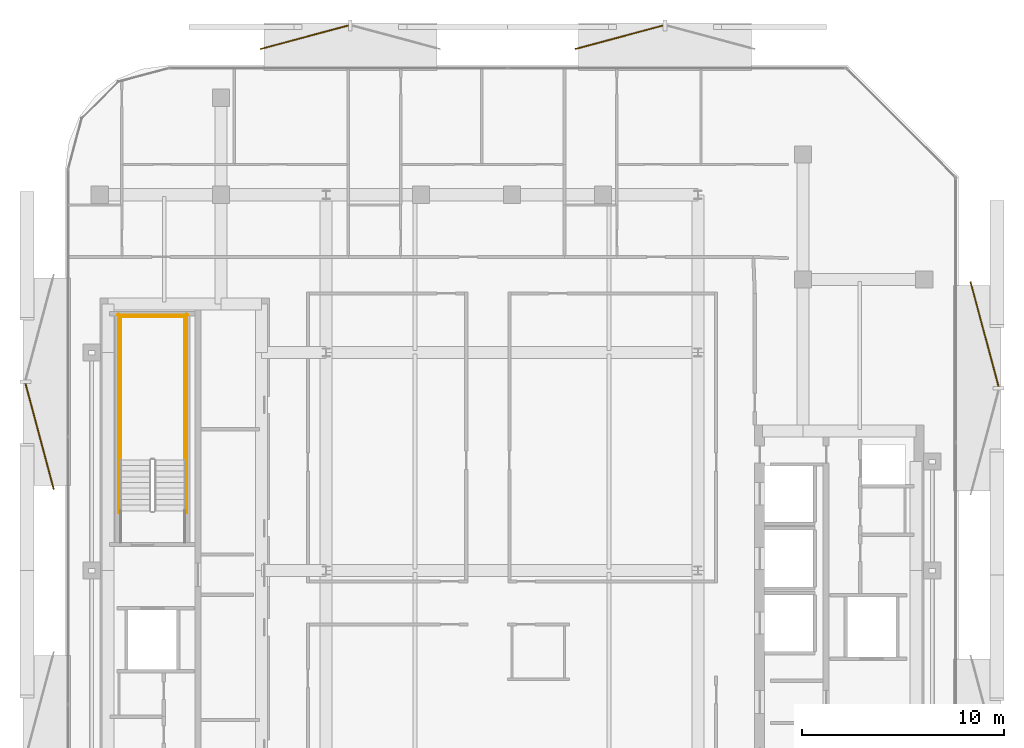
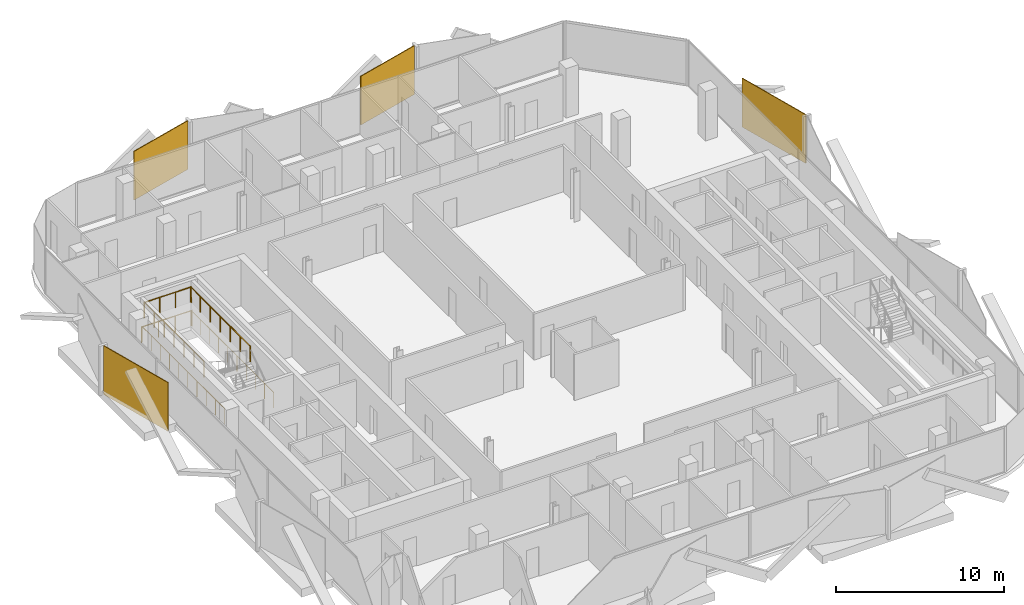
# One storey, part 15 of 15: 6 railings, 4 coverings.
"""IFC4 building model written with IfcOpenShell, lengths in metres."""

import ifcopenshell
import ifcopenshell.guid

model = None  # the IFC model being written
_history = None  # IfcOwnerHistory: only IFC2X3 demands one
_inside = {}  # id of a spatial element -> (the spatial element, [elements in it])
_under = {}  # id of a project, library or spatial element -> (it, [spatial elements below it])
_declared = {}  # id of a project -> (the project, [libraries it declares])
_typed = {}  # id of a type object -> (the type object, [elements of that type])
_made_of = {}  # id of a material, layer set ... -> (it, [elements and type objects made of it])


def new_model(schema):
    """Start an empty IFC model of exactly this schema.

    Asked for "IFC4X3", IfcOpenShell would pick the latest addendum, in which some entities
    have other attributes; the version numbers below select the first issue.
    IFC2X3 requires an IfcOwnerHistory on every rooted entity: one is made here for all.
    """
    global model, _history
    if schema == "IFC4X3":
        model = ifcopenshell.file(schema_version=(4, 3, 0, 0))
    else:
        model = ifcopenshell.file(schema=schema)
    _inside.clear()
    _under.clear()
    _declared.clear()
    _typed.clear()
    _made_of.clear()
    _history = None
    if model.schema == "IFC2X3":
        org = make("IfcOrganization", Name="unknown")
        user = make(
            "IfcPersonAndOrganization",
            ThePerson=make("IfcPerson", FamilyName="unknown"),
            TheOrganization=org,
        )
        app = make(
            "IfcApplication",
            ApplicationDeveloper=org,
            Version="unknown",
            ApplicationFullName="unknown",
            ApplicationIdentifier="unknown",
        )
        _history = make(
            "IfcOwnerHistory",
            OwningUser=user,
            OwningApplication=app,
            ChangeAction="ADDED",
            CreationDate=0,
        )
    return model


def make(cls, **values):
    """One entity of the class cls with the attributes given. An attribute that is None is left unset."""
    return model.create_entity(
        cls, **{name: value for name, value in values.items() if value is not None}
    )


def rooted(cls, **values):
    """An entity with a GlobalId (a new one), such as an element, a storey or a relation."""
    return make(cls, GlobalId=ifcopenshell.guid.new(), OwnerHistory=_history, **values)


def si_unit(unit_type, name, prefix=None):
    """IfcSIUnit, for example si_unit("LENGTHUNIT", "METRE", prefix="MILLI")."""
    return make("IfcSIUnit", UnitType=unit_type, Prefix=prefix, Name=name)


def assignment(units):
    """IfcUnitAssignment: the units of a project."""
    return None if units is None else make("IfcUnitAssignment", Units=units)


def point(xyz):
    """IfcCartesianPoint."""
    return None if xyz is None else make("IfcCartesianPoint", Coordinates=xyz)


def direction(xyz):
    """IfcDirection."""
    return None if xyz is None else make("IfcDirection", DirectionRatios=xyz)


def frame(location, z_axis=None, x_axis=None):
    """IfcAxis2Placement3D, a coordinate frame: its origin and axes. An axis left out is left unset."""
    return make(
        "IfcAxis2Placement3D",
        Location=point(location),
        Axis=direction(z_axis),
        RefDirection=direction(x_axis),
    )


def frame_2d(location, x_axis=None):
    """IfcAxis2Placement2D, a coordinate frame in the plane: its origin and x axis."""
    return make(
        "IfcAxis2Placement2D", Location=point(location), RefDirection=direction(x_axis)
    )


def origin():
    """The frame at (0, 0, 0) with its axes left unset."""
    return frame((0.0, 0.0, 0.0))


def origin_2d():
    """The frame at (0, 0) in the plane with its x axis left unset."""
    return frame_2d((0.0, 0.0))


def place(relative_to, where):
    """IfcLocalPlacement: puts the frame where relative to a parent placement (None: the world)."""
    return make(
        "IfcLocalPlacement", PlacementRelTo=relative_to, RelativePlacement=where
    )


def context(
    kind, dimensions, precision=None, world=None, true_north=None, identifier=None
):
    """IfcGeometricRepresentationContext, for example the 3D "Model" context."""
    return make(
        "IfcGeometricRepresentationContext",
        ContextIdentifier=identifier,
        ContextType=kind,
        CoordinateSpaceDimension=dimensions,
        Precision=precision,
        WorldCoordinateSystem=world,
        TrueNorth=true_north,
    )


def subcontext(parent, identifier, kind, view, scale=None):
    """IfcGeometricRepresentationSubContext, for example "Body" below "Model"."""
    return make(
        "IfcGeometricRepresentationSubContext",
        ContextIdentifier=identifier,
        ContextType=kind,
        ParentContext=parent,
        TargetScale=scale,
        TargetView=view,
    )


def project(units=None, contexts=None):
    """IfcProject with its units and contexts."""
    return rooted(
        "IfcProject",
        Name="project",
        RepresentationContexts=contexts,
        UnitsInContext=assignment(units),
    )


def spatial(cls, under=None, at=None, **own):
    """A site, building, storey or space (cls), placed at a placement, below another one or the project."""
    s = rooted(cls, ObjectPlacement=at, **own)
    if under is not None:
        _under.setdefault(under.id(), (under, []))[1].append(s)
    return s


def profile(cls, at=None, kind="AREA", **sizes):
    """A parametric profile (cls). Its sizes go by their IFC names, for example OverallWidth=200.0."""
    return make(cls, ProfileType=kind, Position=at, **sizes)


def rectangle(**sizes):
    """IfcRectangleProfileDef."""
    return profile("IfcRectangleProfileDef", **sizes)


def circle(**sizes):
    """IfcCircleProfileDef."""
    return profile("IfcCircleProfileDef", **sizes)


def extrude(swept, where, along, depth):
    """IfcExtrudedAreaSolid: the profile swept, set in the frame where, extruded along a direction by depth."""
    return make(
        "IfcExtrudedAreaSolid",
        SweptArea=swept,
        Position=where,
        ExtrudedDirection=direction(along),
        Depth=depth,
    )


def shape(context_of_items, identifier, shape_type, items):
    """IfcShapeRepresentation: the items that make up one representation, for example the "Body"."""
    return make(
        "IfcShapeRepresentation",
        ContextOfItems=context_of_items,
        RepresentationIdentifier=identifier,
        RepresentationType=shape_type,
        Items=items,
    )


def material(Name=None, Category=None):
    """IfcMaterial."""
    return make("IfcMaterial", Name=Name, Category=Category)


def layer(
    of_material, thickness, ventilated=None, Name=None, Category=None, Priority=None
):
    """IfcMaterialLayer: one layer of a wall or slab, of a material (None: an air gap)."""
    return make(
        "IfcMaterialLayer",
        Material=of_material,
        LayerThickness=thickness,
        IsVentilated=ventilated,
        Name=Name,
        Category=Category,
        Priority=Priority,
    )


def layer_set(layers, Name=None):
    """IfcMaterialLayerSet."""
    return make("IfcMaterialLayerSet", MaterialLayers=layers, LayerSetName=Name)


def made_of(thing, what):
    """Note that an element or type object is made of a material, layer set ...; save() writes the relation."""
    if what is not None:
        _made_of.setdefault(what.id(), (what, []))[1].append(thing)
    return thing


def type_object(cls, material=None, **own):
    """A type object (cls), such as IfcWallType, which elements share."""
    return made_of(rooted(cls, **own), material)


def element(
    cls,
    number,
    at=None,
    inside=None,
    cuts=None,
    type_object=None,
    material=None,
    context=None,
    identifier="Body",
    shape_type=None,
    held_by="IfcProductDefinitionShape",
    body=None,
    shapes=None,
    **own,
):
    """One element of the class cls, such as IfcWall. Its Tag is "e" and its number.

    at: its placement. inside: the storey or other place that contains it. cuts: it is an
    opening in that element (IfcRelVoidsElement). A single representation is given by context,
    identifier, shape_type and body (its items); several are given by shapes. held_by: the class
    of the entity that holds the representations. save() writes the other relations.
    """
    e = rooted(cls, Tag="e%d" % number, ObjectPlacement=at, **own)
    if body is not None:
        shapes = [shape(context, identifier, shape_type, body)]
    if shapes is not None:
        e.Representation = make(held_by, Representations=shapes)
    if inside is not None:
        _inside.setdefault(inside.id(), (inside, []))[1].append(e)
    if cuts is not None:
        rooted(
            "IfcRelVoidsElement", RelatingBuildingElement=cuts, RelatedOpeningElement=e
        )
    if type_object is not None:
        _typed.setdefault(type_object.id(), (type_object, []))[1].append(e)
    return made_of(e, material)


def aggregate(whole, parts):
    """IfcRelAggregates: a whole, such as a stair, and the parts it consists of."""
    return rooted("IfcRelAggregates", RelatingObject=whole, RelatedObjects=parts)


def save(model, path):
    """Write the relations noted so far, then the file.

    IfcRelAggregates (storeys below a building ...), IfcRelContainedInSpatialStructure (elements
    in a storey), IfcRelDefinesByType, IfcRelAssociatesMaterial and IfcRelDeclares: one each for
    every whole, place, type object, material and project.
    """
    for whole, parts in _under.values():
        aggregate(whole, parts)
    for where, things in _inside.values():
        rooted(
            "IfcRelContainedInSpatialStructure",
            RelatedElements=things,
            RelatingStructure=where,
        )
    for kind, things in _typed.values():
        rooted("IfcRelDefinesByType", RelatedObjects=things, RelatingType=kind)
    for what, things in _made_of.values():
        rooted("IfcRelAssociatesMaterial", RelatedObjects=things, RelatingMaterial=what)
    for by, libraries in _declared.values():
        rooted("IfcRelDeclares", RelatingContext=by, RelatedDefinitions=libraries)
    model.write(path)


model = new_model("IFC4")

# Units and contexts
model_context = context("Model", 3, precision=1e-05, world=origin(), true_north=direction((0.0, 1.0)))
body_context = subcontext(model_context, "Body", "Model", "MODEL_VIEW")
ifc_project = project(units=[si_unit("LENGTHUNIT", "METRE"), si_unit("AREAUNIT", "SQUARE_METRE"), si_unit("VOLUMEUNIT", "CUBIC_METRE"), si_unit("PLANEANGLEUNIT", "RADIAN"), si_unit("MASSUNIT", "GRAM", prefix="KILO")], contexts=[model_context])

# Site, building, storey
site_placement = place(None, origin())
site = spatial("IfcSite", under=ifc_project, at=site_placement, CompositionType="ELEMENT")
building_placement = place(site_placement, origin())
building = spatial("IfcBuilding", under=site, at=building_placement, Name="Khairoan Windgate Tower", CompositionType="ELEMENT")
storey_placement = place(building_placement, frame((0.0, 0.0, 244.0)))
storey = spatial("IfcBuildingStorey", under=building, at=storey_placement, Name="L57", CompositionType="ELEMENT", Elevation=244.0)

# Coverings
ifc_material_1 = material(Name="Anodised Bronze Aluminium 6063-T6", Category="aluminium")
ifc_layer = layer(ifc_material_1, 0.054931640625, Name="Anodised Bronze Aluminium 6063-T6")
ifc_layer_set = layer_set([ifc_layer], Name="Anodised Bronze Aluminium 6063-T6")
covering_type = type_object("IfcCoveringType", Name="Perforated Bronze-Ceramic Folded Solar Screen Cladding BSC-1", PredefinedType="CLADDING", material=ifc_layer_set)
covering_1_placement = place(storey_placement, frame((-23.378662109375, 6.6376953125, -0.10009765625), z_axis=(0.0, 0.0, 1.0), x_axis=(-0.258819045103, 0.965925826289, 0.0)))
element("IfcCovering", 1, at=covering_1_placement, inside=storey, type_object=covering_type, Name="L57 Folded Bronze Solar Screen Facet 388L", PredefinedType="CLADDING", context=body_context, shape_type="SweptSolid", body=[
    extrude(rectangle(XDim=5.419921875, YDim=0.054931640625, at=origin_2d()), origin(), (0.0, 0.0, 1.0), 3.5400390625),
])
for number, where, z_axis, x_axis, name in (
    (2, (-10.274169921875, 26.3955078125, -0.10009765625), (0.0, 0.0, 1.0), (0.965925826289, 0.258819045103, 0.0), "L57 Folded Bronze Solar Screen Facet 389L"),
    (3, (5.30224609375, 26.3955078125, -0.10009765625), (0.0, 0.0, 1.0), (0.965925826289, 0.258819045103, 0.0), "L57 Folded Bronze Solar Screen Facet 390L"),
):
    element("IfcCovering", number, at=place(storey_placement, frame(where, z_axis=z_axis, x_axis=x_axis)), inside=storey, type_object=covering_type, Name=name, PredefinedType="CLADDING", context=body_context, shape_type="SweptSolid", body=[
        extrude(rectangle(XDim=4.51708984375, YDim=0.054931640625, at=origin_2d()), origin(), (0.0, 0.0, 1.0), 3.5400390625),
    ])
covering_2_placement = place(storey_placement, frame((23.38671875, 11.701416015625, -0.10009765625), z_axis=(0.0, 0.0, 1.0), x_axis=(0.258819045103, -0.965925826289, 0.0)))
element("IfcCovering", 4, at=covering_2_placement, inside=storey, type_object=covering_type, Name="L57 Folded Bronze Solar Screen Facet 391L", PredefinedType="CLADDING", context=body_context, shape_type="SweptSolid", body=[
    extrude(rectangle(XDim=5.35791015625, YDim=0.054931640625, at=origin_2d()), origin(), (0.0, 0.0, 1.0), 3.5400390625),
])

# Railings
ifc_material_2 = material(Name="Steel S355", Category="steel")
railing_type = type_object("IfcRailingType", Name="Stairwell Safety Guardrail SGR-1150", PredefinedType="GUARDRAIL", material=ifc_material_2)
for number, where, name in (
    (5, (-16.199951171875, 5.47998046875, 1.800048828125), "L57 ST2 stair guard 3"),
    (6, (-19.3701171875, 5.47998046875, 1.800048828125), "L57 ST2 stair guard 4"),
):
    element("IfcRailing", number, at=place(storey_placement, frame(where)), inside=storey, type_object=railing_type, Name=name, PredefinedType="GUARDRAIL", context=body_context, shape_type="SweptSolid", body=[
        extrude(circle(Radius=0.02392578125, at=origin_2d()), frame((0.0, 0.0, 1.1259765625), z_axis=(0.0, 1.0, 0.0), x_axis=(-1.0, 0.0, 0.0)), (0.0, 0.0, 1.0), 7.1201171875),
        extrude(circle(Radius=0.02099609375, at=origin_2d()), origin(), (0.0, 0.0, 1.0), 1.101806640625),
        extrude(circle(Radius=0.02099609375, at=origin_2d()), frame((0.0, 1.186767578125, 0.0)), (0.0, 0.0, 1.0), 1.101806640625),
        extrude(circle(Radius=0.02099609375, at=origin_2d()), frame((0.0, 2.373291015625, 0.0)), (0.0, 0.0, 1.0), 1.101806640625),
        extrude(circle(Radius=0.02099609375, at=origin_2d()), frame((0.0, 3.56005859375, 0.0)), (0.0, 0.0, 1.0), 1.101806640625),
        extrude(circle(Radius=0.02099609375, at=origin_2d()), frame((0.0, 4.746826171875, 0.0)), (0.0, 0.0, 1.0), 1.101806640625),
        extrude(circle(Radius=0.02099609375, at=origin_2d()), frame((0.0, 5.933349609375, 0.0)), (0.0, 0.0, 1.0), 1.101806640625),
        extrude(circle(Radius=0.02099609375, at=origin_2d()), frame((0.0, 7.1201171875, 0.0)), (0.0, 0.0, 1.0), 1.101806640625),
    ])
railing_1_placement = place(storey_placement, frame((-16.14990234375, 12.550048828125, 1.800048828125)))
element("IfcRailing", 7, at=railing_1_placement, inside=storey, type_object=railing_type, Name="L57 ST2 stair guard 5", PredefinedType="GUARDRAIL", context=body_context, shape_type="SweptSolid", body=[
    extrude(circle(Radius=0.02392578125, at=origin_2d()), frame((0.0, 0.0, 1.1259765625), z_axis=(-1.0, 0.0, 0.0), x_axis=(0.0, -1.0, 0.0)), (0.0, 0.0, 1.0), 3.27001953125),
    extrude(circle(Radius=0.02099609375, at=origin_2d()), origin(), (0.0, 0.0, 1.0), 1.101806640625),
    extrude(circle(Radius=0.02099609375, at=origin_2d()), frame((-1.090087890625, 0.0, 0.0)), (0.0, 0.0, 1.0), 1.101806640625),
    extrude(circle(Radius=0.02099609375, at=origin_2d()), frame((-2.179931640625, 0.0, 0.0)), (0.0, 0.0, 1.0), 1.101806640625),
    extrude(circle(Radius=0.02099609375, at=origin_2d()), frame((-3.27001953125, 0.0, 0.0)), (0.0, 0.0, 1.0), 1.101806640625),
])
for number, where, name in (
    (8, (-16.10009765625, 2.860107421875, 0.0), "L57 ST2 stair guard 10"),
    (9, (-19.469970703125, 2.860107421875, 0.0), "L57 ST2 stair guard 11"),
):
    element("IfcRailing", number, at=place(storey_placement, frame(where)), inside=storey, type_object=railing_type, Name=name, PredefinedType="GUARDRAIL", context=body_context, shape_type="SweptSolid", body=[
        extrude(circle(Radius=0.02392578125, at=origin_2d()), frame((0.0, 0.0, 1.1259765625), z_axis=(0.0, 1.0, 0.0), x_axis=(-1.0, 0.0, 0.0)), (0.0, 0.0, 1.0), 9.83984375),
        extrude(circle(Radius=0.02099609375, at=origin_2d()), origin(), (0.0, 0.0, 1.0), 1.101806640625),
        extrude(circle(Radius=0.02099609375, at=origin_2d()), frame((0.0, 1.09326171875, 0.0)), (0.0, 0.0, 1.0), 1.101806640625),
        extrude(circle(Radius=0.02099609375, at=origin_2d()), frame((0.0, 2.1865234375, 0.0)), (0.0, 0.0, 1.0), 1.101806640625),
        extrude(circle(Radius=0.02099609375, at=origin_2d()), frame((0.0, 3.280029296875, 0.0)), (0.0, 0.0, 1.0), 1.101806640625),
        extrude(circle(Radius=0.02099609375, at=origin_2d()), frame((0.0, 4.373291015625, 0.0)), (0.0, 0.0, 1.0), 1.101806640625),
        extrude(circle(Radius=0.02099609375, at=origin_2d()), frame((0.0, 5.466552734375, 0.0)), (0.0, 0.0, 1.0), 1.101806640625),
        extrude(circle(Radius=0.02099609375, at=origin_2d()), frame((0.0, 6.559814453125, 0.0)), (0.0, 0.0, 1.0), 1.101806640625),
        extrude(circle(Radius=0.02099609375, at=origin_2d()), frame((0.0, 7.6533203125, 0.0)), (0.0, 0.0, 1.0), 1.101806640625),
        extrude(circle(Radius=0.02099609375, at=origin_2d()), frame((0.0, 8.74658203125, 0.0)), (0.0, 0.0, 1.0), 1.101806640625),
        extrude(circle(Radius=0.02099609375, at=origin_2d()), frame((0.0, 9.83984375, 0.0)), (0.0, 0.0, 1.0), 1.101806640625),
    ])
railing_2_placement = place(storey_placement, frame((-16.050048828125, 12.64990234375, 0.0)))
element("IfcRailing", 10, at=railing_2_placement, inside=storey, type_object=railing_type, Name="L57 ST2 stair guard 12", PredefinedType="GUARDRAIL", context=body_context, shape_type="SweptSolid", body=[
    extrude(circle(Radius=0.02392578125, at=origin_2d()), frame((0.0, 0.0, 1.1259765625), z_axis=(-1.0, 0.0, 0.0), x_axis=(0.0, -1.0, 0.0)), (0.0, 0.0, 1.0), 3.469970703125),
    extrude(circle(Radius=0.02099609375, at=origin_2d()), origin(), (0.0, 0.0, 1.0), 1.101806640625),
    extrude(circle(Radius=0.02099609375, at=origin_2d()), frame((-1.15673828125, 0.0, 0.0)), (0.0, 0.0, 1.0), 1.101806640625),
    extrude(circle(Radius=0.02099609375, at=origin_2d()), frame((-2.313232421875, 0.0, 0.0)), (0.0, 0.0, 1.0), 1.101806640625),
    extrude(circle(Radius=0.02099609375, at=origin_2d()), frame((-3.469970703125, 0.0, 0.0)), (0.0, 0.0, 1.0), 1.101806640625),
])

save(model, "model.ifc")
